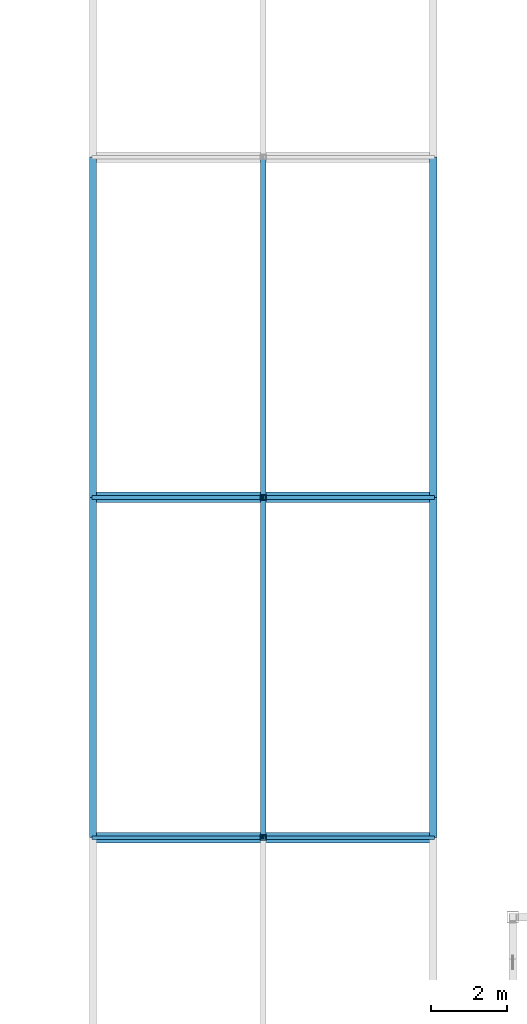
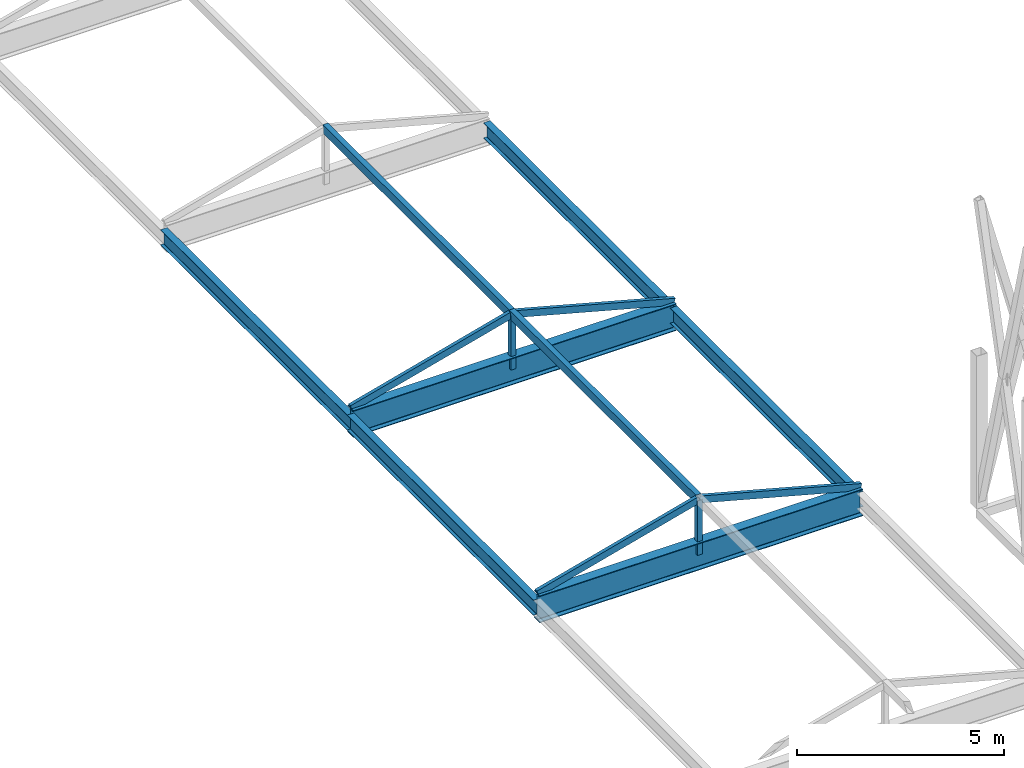
# One storey, part 28 of 140: 8 beams, 6 members.
"""IFC4 building model written with IfcOpenShell, lengths in metres."""

from ifc_helpers import new_model, si_unit, direction, frame, origin, origin_2d, place, context, subcontext, project, spatial, hollow_rectangle, i_section, extrude, material, material_profile, profile_set, type_object, element, save


model = new_model("IFC4")

# Units and contexts
model_context = context("Model", 3, precision=1e-05, world=origin(), true_north=direction((0.0, 1.0)))
body_context = subcontext(model_context, "Body", "Model", "MODEL_VIEW")
ifc_project = project(units=[si_unit("LENGTHUNIT", "METRE"), si_unit("AREAUNIT", "SQUARE_METRE"), si_unit("VOLUMEUNIT", "CUBIC_METRE"), si_unit("PLANEANGLEUNIT", "RADIAN"), si_unit("MASSUNIT", "GRAM", prefix="KILO"), si_unit("THERMODYNAMICTEMPERATUREUNIT", "KELVIN"), si_unit("POWERUNIT", "WATT")], contexts=[model_context])

# Site, building, storey
site_placement = place(None, origin())
site = spatial("IfcSite", under=ifc_project, at=site_placement, CompositionType="ELEMENT")
building_placement = place(site_placement, origin())
building = spatial("IfcBuilding", under=site, at=building_placement, Name="Tallowbark Science Centre", CompositionType="ELEMENT")
storey_placement = place(building_placement, frame((0.0, 0.0, 9.89990234375)))
storey = spatial("IfcBuildingStorey", under=building, at=storey_placement, Name="L02", CompositionType="ELEMENT", Elevation=9.89990234375)

# Beams
ifc_material_1 = material(Name="Structural Steel Grade 300PLUS (300 MPa)", Category="steel")
ifc_material_profile_1 = material_profile(ifc_material_1, i_section(OverallWidth=0.27490234375, OverallDepth=0.7919921875, WebThickness=0.011962890625, FlangeThickness=0.02001953125, FilletRadius=0.013916015625, at=origin_2d()), Name="800WB146")
ifc_profile_set_1 = profile_set([ifc_material_profile_1], Name="Structural Steel Grade 300PLUS (300 MPa)")
beam_type_1 = type_object("IfcBeamType", Name="BM-WB800", PredefinedType="BEAM", material=ifc_profile_set_1)
for number, where, z_axis, x_axis, name in (
    (1, (45.0, 45.0, -0.39990234375), (1.0, 0.0, 0.0), (0.0, 1.0, 0.0), "Passage Skylight Tie Beam 6"),
    (2, (45.0, 54.0, -0.39990234375), (1.0, 0.0, 0.0), (0.0, 1.0, 0.0), "Passage Skylight Tie Beam 7"),
):
    element("IfcBeam", number, at=place(storey_placement, frame(where, z_axis=z_axis, x_axis=x_axis)), inside=storey, type_object=beam_type_1, Name=name, PredefinedType="BEAM", context=body_context, shape_type="SweptSolid", body=[
        extrude(i_section(OverallWidth=0.27490234375, OverallDepth=0.7919921875, WebThickness=0.011962890625, FlangeThickness=0.02001953125, FilletRadius=0.013916015625, at=origin_2d()), origin(), (0.0, 0.0, 1.0), 9.0),
    ])

# Members
ifc_material_2 = material(Name="Structural Steel Grade C350L0 (350 MPa)", Category="steel")
ifc_material_profile_2 = material_profile(ifc_material_2, hollow_rectangle(XDim=0.10009765625, YDim=0.199951171875, WallThickness=0.006103515625, at=origin_2d()), Name="200x100x6.0RHS")
ifc_profile_set_2 = profile_set([ifc_material_profile_2], Name="Structural Steel Grade C350L0 (350 MPa)")
member_type_1 = type_object("IfcMemberType", Name="RFT-200RHS", PredefinedType="RAFTER", material=ifc_profile_set_2)
for number, where, z_axis, x_axis, name in (
    (3, (45.0, 45.0, 0.0), (0.965923723713, 0.0, 0.258826891896), (0.0, 1.0, 0.0), "Passage Skylight West Rafter 6"),
    (4, (49.5, 45.0, 1.205810546875), (0.965923723713, 0.0, -0.258826891896), (0.0, 1.0, 0.0), "Passage Skylight East Rafter 6"),
    (5, (45.0, 54.0, 0.0), (0.965923723713, 0.0, 0.258826891896), (0.0, 1.0, 0.0), "Passage Skylight West Rafter 7"),
    (6, (49.5, 54.0, 1.205810546875), (0.965923723713, 0.0, -0.258826891896), (0.0, 1.0, 0.0), "Passage Skylight East Rafter 7"),
):
    element("IfcMember", number, at=place(storey_placement, frame(where, z_axis=z_axis, x_axis=x_axis)), inside=storey, type_object=member_type_1, Name=name, PredefinedType="RAFTER", context=body_context, shape_type="SweptSolid", body=[
        extrude(hollow_rectangle(XDim=0.10009765625, YDim=0.199951171875, WallThickness=0.006103515625, at=origin_2d()), origin(), (0.0, 0.0, 1.0), 4.65869140625),
    ])

# Beams
ifc_material_3 = material(Name="White Architectural Painted Steel Grade C350L0 (350 MPa)", Category="steel")
ifc_material_profile_3 = material_profile(ifc_material_3, hollow_rectangle(XDim=0.14990234375, YDim=0.25, WallThickness=0.009033203125, at=origin_2d()), Name="250x150x9.0RHS")
ifc_profile_set_3 = profile_set([ifc_material_profile_3], Name="White Architectural Painted Steel Grade C350L0 (350 MPa)")
beam_type_2 = type_object("IfcBeamType", Name="SPN-RHS250", PredefinedType="SPANDREL", material=ifc_profile_set_3)
for number, where, z_axis, x_axis, name in (
    (7, (49.5, 45.0, 1.205810546875), (0.0, 1.0, 0.0), (-1.0, 0.0, 0.0), "Passage Skylight Ridge Beam 6"),
    (8, (49.5, 54.0, 1.205810546875), (0.0, 1.0, 0.0), (-1.0, 0.0, 0.0), "Passage Skylight Ridge Beam 7"),
):
    element("IfcBeam", number, at=place(storey_placement, frame(where, z_axis=z_axis, x_axis=x_axis)), inside=storey, type_object=beam_type_2, Name=name, PredefinedType="SPANDREL", context=body_context, shape_type="SweptSolid", body=[
        extrude(hollow_rectangle(XDim=0.14990234375, YDim=0.25, WallThickness=0.009033203125, at=origin_2d()), origin(), (0.0, 0.0, 1.0), 9.0),
    ])
ifc_material_profile_4 = material_profile(ifc_material_1, i_section(OverallWidth=0.18994140625, OverallDepth=0.453857421875, WebThickness=0.008544921875, FlangeThickness=0.0126953125, FilletRadius=0.011474609375, at=origin_2d()), Name="460UB67.1")
ifc_profile_set_4 = profile_set([ifc_material_profile_4], Name="Structural Steel Grade 300PLUS (300 MPa)")
beam_type_3 = type_object("IfcBeamType", Name="SPN-UB460", PredefinedType="SPANDREL", material=ifc_profile_set_4)
for number, where, z_axis, x_axis, name in (
    (9, (45.0, 45.0, -0.40673828125), (0.0, 1.0, 0.0), (-1.0, 0.0, 0.0), "Primary Girder GRDY-L02-450-450-540"),
    (10, (45.0, 54.0, -0.40673828125), (0.0, 1.0, 0.0), (-1.0, 0.0, 0.0), "Primary Girder GRDY-L02-450-540-630"),
    (11, (54.0, 45.0, -0.40673828125), (0.0, 1.0, 0.0), (-1.0, 0.0, 0.0), "Primary Girder GRDY-L02-540-450-540"),
    (12, (54.0, 54.0, -0.40673828125), (0.0, 1.0, 0.0), (-1.0, 0.0, 0.0), "Primary Girder GRDY-L02-540-540-630"),
):
    element("IfcBeam", number, at=place(storey_placement, frame(where, z_axis=z_axis, x_axis=x_axis)), inside=storey, type_object=beam_type_3, Name=name, PredefinedType="SPANDREL", context=body_context, shape_type="SweptSolid", body=[
        extrude(i_section(OverallWidth=0.18994140625, OverallDepth=0.453857421875, WebThickness=0.008544921875, FlangeThickness=0.0126953125, FilletRadius=0.011474609375, at=origin_2d()), origin(), (0.0, 0.0, 1.0), 9.0),
    ])

# Members
ifc_material_profile_5 = material_profile(ifc_material_2, hollow_rectangle(XDim=0.14990234375, YDim=0.14990234375, WallThickness=0.006103515625, at=origin_2d()), Name="150x150x6.0SHS")
ifc_profile_set_5 = profile_set([ifc_material_profile_5], Name="Structural Steel Grade C350L0 (350 MPa)")
member_type_2 = type_object("IfcMemberType", Name="STR-PAS-KP", PredefinedType="POST", material=ifc_profile_set_5)
for number, where, z_axis, x_axis, name in (
    (13, (49.5, 45.0, -0.39990234375), (0.0, 0.0, 1.0), (1.0, 0.0, 0.0), "Passage Skylight Truss King Post 6"),
    (14, (49.5, 54.0, -0.39990234375), (0.0, 0.0, 1.0), (1.0, 0.0, 0.0), "Passage Skylight Truss King Post 7"),
):
    element("IfcMember", number, at=place(storey_placement, frame(where, z_axis=z_axis, x_axis=x_axis)), inside=storey, type_object=member_type_2, Name=name, PredefinedType="POST", context=body_context, shape_type="SweptSolid", body=[
        extrude(hollow_rectangle(XDim=0.14990234375, YDim=0.14990234375, WallThickness=0.006103515625, at=origin_2d()), origin(), (0.0, 0.0, 1.0), 1.605712890625),
    ])

save(model, "model.ifc")
